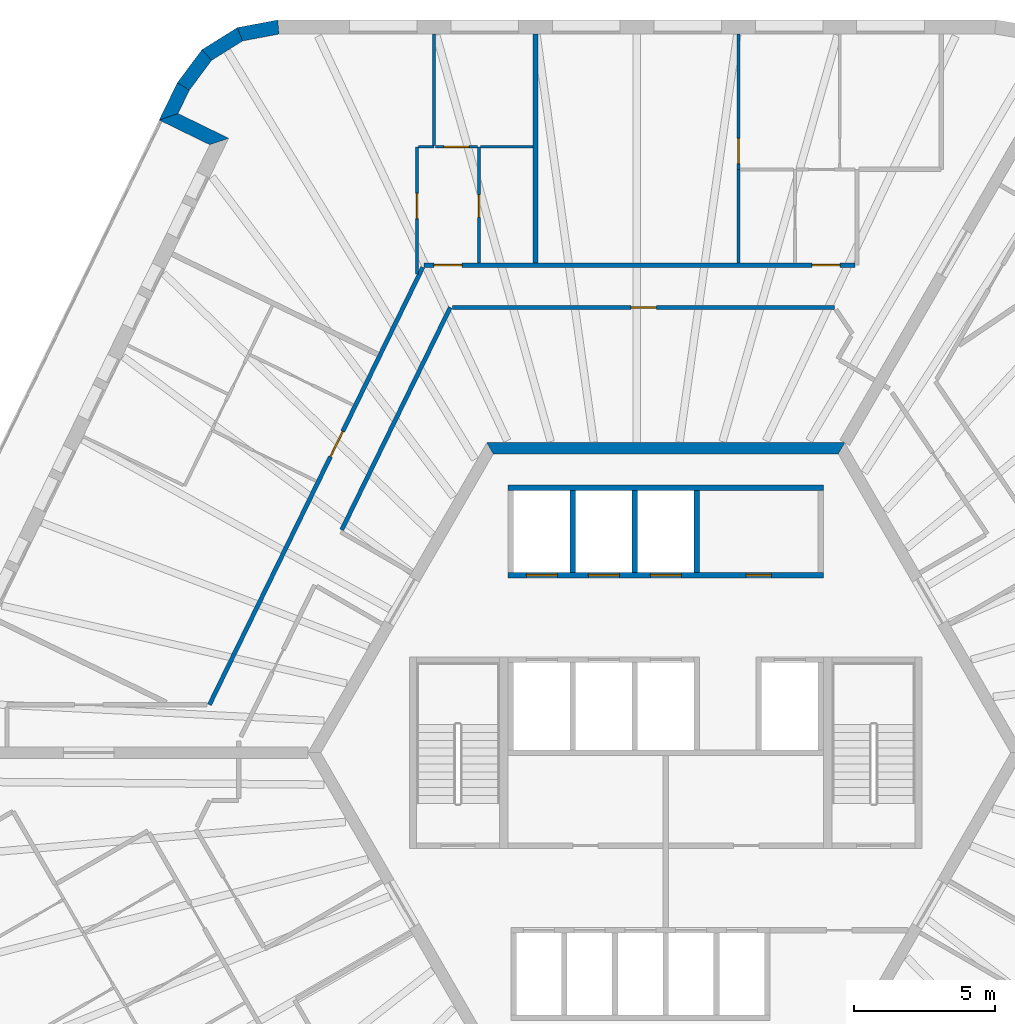
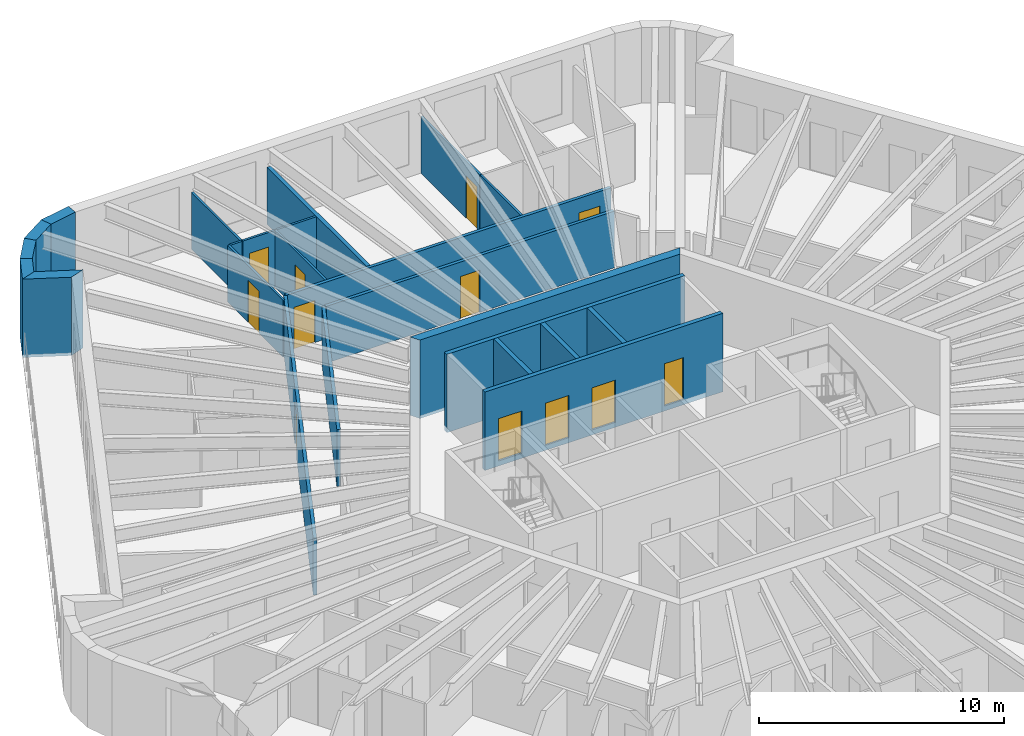
# One storey, part 9 of 12: 24 walls, 12 doors, 12 openings.
"""IFC4 building model written with IfcOpenShell, lengths in metres."""

from ifc_helpers import new_model, si_unit, direction, frame, frame_2d, origin, place, context, subcontext, project, spatial, polyline, rectangle, outline, extrude, material, layer, layer_set, type_object, element, fill, save


model = new_model("IFC4")

# Units and contexts
model_context = context("Model", 3, precision=1e-05, world=origin(), true_north=direction((0.0, 1.0)))
body_context = subcontext(model_context, "Body", "Model", "MODEL_VIEW")
ifc_project = project(units=[si_unit("LENGTHUNIT", "METRE"), si_unit("AREAUNIT", "SQUARE_METRE"), si_unit("VOLUMEUNIT", "CUBIC_METRE"), si_unit("PLANEANGLEUNIT", "RADIAN"), si_unit("MASSUNIT", "GRAM", prefix="KILO")], contexts=[model_context])

# Site, building, storey
site_placement = place(None, origin())
site = spatial("IfcSite", under=ifc_project, at=site_placement, CompositionType="ELEMENT")
building_placement = place(site_placement, origin())
building = spatial("IfcBuilding", under=site, at=building_placement, Name="Tarnside Tower", CompositionType="ELEMENT")
storey_placement = place(building_placement, frame((0.0, 0.0, 264.0)))
storey = spatial("IfcBuildingStorey", under=building, at=storey_placement, Name="L63", CompositionType="ELEMENT", Elevation=264.0)

# Wall
ifc_material_1 = material(Name="Gypsum board partition on steel studs", Category="steel")
ifc_layer_1 = layer(ifc_material_1, 0.10009765625)
ifc_layer_set_1 = layer_set([ifc_layer_1], Name="Bathroom wall 100")
wall_type_1 = type_object("IfcWallType", Name="Bathroom wall 100", PredefinedType="PARTITIONING", material=ifc_layer_set_1)
wall_1_placement = place(storey_placement, frame((2.586181640625, 17.375, 0.0), z_axis=(0.0, 0.0, 1.0), x_axis=(0.0, 1.0, 0.0)))
element("IfcWall", 1, at=wall_1_placement, inside=storey, type_object=wall_type_1, Name="Bathroom wall 20081", PredefinedType="PARTITIONING", context=body_context, shape_type="SweptSolid", body=[
    extrude(rectangle(XDim=3.324951171875, YDim=0.10009765625, at=frame_2d((1.66259765625, 0.0))), origin(), (0.0, 0.0, 1.0), 2.823486328125),
])

# Wall, opening, door
wall_2_placement = place(storey_placement, frame((-6.624755859375, 17.375, 0.0), z_axis=(0.0, 0.0, 1.0), x_axis=(0.0, 1.0, 0.0)))
wall_2 = element("IfcWall", 2, at=wall_2_placement, inside=storey, type_object=wall_type_1, Name="Bathroom wall 20095", PredefinedType="PARTITIONING", context=body_context, shape_type="SweptSolid", body=[
    extrude(rectangle(XDim=4.125, YDim=0.10009765625, at=frame_2d((2.0625, 0.0))), origin(), (0.0, 0.0, 1.0), 2.823486328125),
])
opening_1_placement = place(wall_2_placement, frame((1.625, 0.0, 0.0)))
opening_1 = element("IfcOpeningElement", 3, at=opening_1_placement, cuts=wall_2, Name="Opening D-B1", PredefinedType="OPENING", context=body_context, shape_type="SweptSolid", body=[
    extrude(rectangle(XDim=0.800048828125, YDim=2.10009765625, at=frame_2d((0.39990234375, 1.050048828125))), frame((0.0, 0.06005859375, 0.0), z_axis=(0.0, -1.0, 0.0), x_axis=(1.0, 0.0, 0.0)), (0.0, 0.0, 1.0), 0.1201171875),
])
ifc_material_2 = material(Name="Timber door leaf", Category="wood")
door_type_1 = type_object("IfcDoorType", Name="Bathroom door 800", OperationType="NOTDEFINED", PredefinedType="DOOR", material=ifc_material_2)
door_1_placement = place(opening_1_placement, origin())
door_1 = element("IfcDoor", 4, at=door_1_placement, inside=storey, type_object=door_type_1, Name="Bathroom door 20012", OperationType="SINGLE_SWING_RIGHT", OverallHeight=2.10009765625, OverallWidth=0.800048828125, PredefinedType="DOOR", context=body_context, shape_type="SweptSolid", body=[
    extrude(rectangle(XDim=0.800048828125, YDim=2.10009765625, at=frame_2d((0.39990234375, 1.050048828125))), frame((0.0, 0.02490234375, 0.0), z_axis=(0.0, -1.0, 0.0), x_axis=(1.0, 0.0, 0.0)), (0.0, 0.0, 1.0), 0.050048828125),
])
fill(opening_1, door_1)

# Walls
wall_3_placement = place(storey_placement, frame((-4.71484375, 21.5, 0.0), z_axis=(0.0, 0.0, 1.0), x_axis=(-1.0, 0.0, 0.0)))
element("IfcWall", 5, at=wall_3_placement, inside=storey, type_object=wall_type_1, Name="Bathroom wall 20097", PredefinedType="PARTITIONING", context=body_context, shape_type="SweptSolid", body=[
    extrude(rectangle(XDim=1.862060546875, YDim=0.10009765625, at=frame_2d((0.93115234375, 0.0))), origin(), (0.0, 0.0, 1.0), 2.823486328125),
])
ifc_material_3 = material(Name="Concrete C60/75", Category="concrete")
ifc_layer_2 = layer(ifc_material_3, 0.39990234375)
ifc_layer_set_2 = layer_set([ifc_layer_2], Name="Core wall Z3 400 C60/75")
wall_type_2 = type_object("IfcWallType", Name="Core wall Z3 400 C60/75", PredefinedType="SHEAR", material=ifc_layer_set_2)
wall_4_placement = place(storey_placement, frame((6.2353515625, 10.800048828125, -0.14990234375), z_axis=(0.0, 0.0, 1.0), x_axis=(-1.0, 0.0, 0.0)))
element("IfcWall", 6, at=wall_4_placement, inside=storey, type_object=wall_type_2, Name="L63 core wall face 1", PredefinedType="SHEAR", context=body_context, shape_type="SweptSolid", body=[
    extrude(outline(polyline([(-0.115478515625, -0.199951171875), (12.586181640625, -0.199951171875), (12.355224609375, 0.199951171875), (0.115478515625, 0.199951171875), (-0.115478515625, -0.199951171875)])), origin(), (0.0, 0.0, 1.0), 3.89990234375),
])

# Wall, openings, doors
ifc_layer_3 = layer(ifc_material_1, 0.14990234375)
ifc_layer_set_3 = layer_set([ifc_layer_3], Name="Corridor wall 150 EI 60")
wall_type_3 = type_object("IfcWallType", Name="Corridor wall 150 EI 60", PredefinedType="PARTITIONING", material=ifc_layer_set_3)
wall_5_placement = place(storey_placement, frame((6.711181640625, 17.300048828125, 0.0), z_axis=(0.0, 0.0, 1.0), x_axis=(-1.0, 0.0, 0.0)))
wall_5 = element("IfcWall", 7, at=wall_5_placement, inside=storey, type_object=wall_type_3, Name="Corridor wall 20001", PredefinedType="PARTITIONING", context=body_context, shape_type="SweptSolid", body=[
    extrude(rectangle(XDim=15.296142578125, YDim=0.14990234375, at=frame_2d((7.64794921875, 0.0))), origin(), (0.0, 0.0, 1.0), 2.823486328125),
])
opening_2_placement = place(wall_5_placement, frame((0.52490234375, 0.0, 0.0)))
opening_2 = element("IfcOpeningElement", 8, at=opening_2_placement, cuts=wall_5, Name="Opening D-E1", PredefinedType="OPENING", context=body_context, shape_type="SweptSolid", body=[
    extrude(rectangle(XDim=1.0, YDim=2.10009765625, at=frame_2d((0.5, 1.050048828125))), frame((0.0, 0.0849609375, 0.0), z_axis=(0.0, -1.0, 0.0), x_axis=(1.0, 0.0, 0.0)), (0.0, 0.0, 1.0), 0.169921875),
])
opening_3_placement = place(wall_5_placement, frame((13.93603515625, 0.0, 0.0)))
opening_3 = element("IfcOpeningElement", 9, at=opening_3_placement, cuts=wall_5, Name="Opening D-E1", PredefinedType="OPENING", context=body_context, shape_type="SweptSolid", body=[
    extrude(rectangle(XDim=1.0, YDim=2.10009765625, at=frame_2d((0.5, 1.050048828125))), frame((0.0, 0.0849609375, 0.0), z_axis=(0.0, -1.0, 0.0), x_axis=(1.0, 0.0, 0.0)), (0.0, 0.0, 1.0), 0.169921875),
])
door_type_2 = type_object("IfcDoorType", Name="Unit entrance door 1000 FD30S", OperationType="NOTDEFINED", PredefinedType="DOOR", material=ifc_material_2)
door_2_placement = place(opening_2_placement, origin())
door_2 = element("IfcDoor", 10, at=door_2_placement, inside=storey, type_object=door_type_2, Name="Unit door 20001", OperationType="SINGLE_SWING_RIGHT", OverallHeight=2.10009765625, OverallWidth=1.0, PredefinedType="DOOR", context=body_context, shape_type="SweptSolid", body=[
    extrude(rectangle(XDim=1.0, YDim=2.10009765625, at=frame_2d((0.5, 1.050048828125))), frame((0.0, 0.02490234375, 0.0), z_axis=(0.0, -1.0, 0.0), x_axis=(1.0, 0.0, 0.0)), (0.0, 0.0, 1.0), 0.050048828125),
])
fill(opening_2, door_2)
door_3_placement = place(opening_3_placement, origin())
door_3 = element("IfcDoor", 11, at=door_3_placement, inside=storey, type_object=door_type_2, Name="Unit door 20011", OperationType="SINGLE_SWING_LEFT", OverallHeight=2.10009765625, OverallWidth=1.0, PredefinedType="DOOR", context=body_context, shape_type="SweptSolid", body=[
    extrude(rectangle(XDim=1.0, YDim=2.10009765625, at=frame_2d((0.5, 1.050048828125))), frame((0.0, 0.02490234375, 0.0), z_axis=(0.0, -1.0, 0.0), x_axis=(1.0, 0.0, 0.0)), (0.0, 0.0, 1.0), 0.050048828125),
])
fill(opening_3, door_3)

# Wall, opening, door
wall_6_placement = place(storey_placement, frame((-8.62158203125, 17.22509765625, 0.0), z_axis=(0.0, 0.0, 1.0), x_axis=(-0.438366544921, -0.898796290765, 0.0)))
wall_6 = element("IfcWall", 12, at=wall_6_placement, inside=storey, type_object=wall_type_3, Name="Corridor wall 20007", PredefinedType="PARTITIONING", context=body_context, shape_type="SweptSolid", body=[
    extrude(rectangle(XDim=17.273193359375, YDim=0.14990234375, at=frame_2d((8.63671875, 0.0))), origin(), (0.0, 0.0, 1.0), 2.823486328125),
])
opening_4_placement = place(wall_6_placement, frame((6.4775390625, 0.0, 0.0)))
opening_4 = element("IfcOpeningElement", 13, at=opening_4_placement, cuts=wall_6, Name="Opening D-E1", PredefinedType="OPENING", context=body_context, shape_type="SweptSolid", body=[
    extrude(rectangle(XDim=1.0, YDim=2.10009765625, at=frame_2d((0.5, 1.050048828125))), frame((0.0, 0.0849609375, 0.0), z_axis=(0.0, -1.0, 0.0), x_axis=(1.0, 0.0, 0.0)), (0.0, 0.0, 1.0), 0.169921875),
])
door_4_placement = place(opening_4_placement, origin())
door_4 = element("IfcDoor", 14, at=door_4_placement, inside=storey, type_object=door_type_2, Name="Unit door 20015", OperationType="SINGLE_SWING_RIGHT", OverallHeight=2.10009765625, OverallWidth=1.0, PredefinedType="DOOR", context=body_context, shape_type="SweptSolid", body=[
    extrude(rectangle(XDim=1.0, YDim=2.10009765625, at=frame_2d((0.5, 1.050048828125))), frame((0.0, 0.02490234375, 0.0), z_axis=(0.0, -1.0, 0.0), x_axis=(1.0, 0.0, 0.0)), (0.0, 0.0, 1.0), 0.050048828125),
])
fill(opening_4, door_4)

# Wall
wall_7_placement = place(storey_placement, frame((-11.49853515625, 7.904541015625, 0.0), z_axis=(0.0, 0.0, 1.0), x_axis=(0.438365041944, 0.898797023805, 0.0)))
element("IfcWall", 15, at=wall_7_placement, inside=storey, type_object=wall_type_3, Name="Corridor wall 20018", PredefinedType="PARTITIONING", context=body_context, shape_type="SweptSolid", body=[
    extrude(rectangle(XDim=8.784423828125, YDim=0.14990234375, at=frame_2d((4.39208984375, 0.0))), origin(), (0.0, 0.0, 1.0), 2.823486328125),
])

# Wall, opening, door
wall_8_placement = place(storey_placement, frame((-7.564208984375, 15.800048828125, 0.0), z_axis=(0.0, 0.0, 1.0), x_axis=(1.0, 0.0, 0.0)))
wall_8 = element("IfcWall", 16, at=wall_8_placement, inside=storey, type_object=wall_type_3, Name="Corridor wall 20019", PredefinedType="PARTITIONING", context=body_context, shape_type="SweptSolid", body=[
    extrude(rectangle(XDim=13.552734375, YDim=0.14990234375, at=frame_2d((6.7763671875, 0.0))), origin(), (0.0, 0.0, 1.0), 2.823486328125),
])
opening_5_placement = place(wall_8_placement, frame((6.326416015625, 0.0, 0.0)))
opening_5 = element("IfcOpeningElement", 17, at=opening_5_placement, cuts=wall_8, Name="Opening D-S1", PredefinedType="OPENING", context=body_context, shape_type="SweptSolid", body=[
    extrude(rectangle(XDim=0.89990234375, YDim=2.10009765625, at=frame_2d((0.449951171875, 1.050048828125))), frame((0.0, 0.0849609375, 0.0), z_axis=(0.0, -1.0, 0.0), x_axis=(1.0, 0.0, 0.0)), (0.0, 0.0, 1.0), 0.169921875),
])
door_type_3 = type_object("IfcDoorType", Name="Service room door 900 FD30S", OperationType="NOTDEFINED", PredefinedType="DOOR", material=ifc_material_2)
door_5_placement = place(opening_5_placement, origin())
door_5 = element("IfcDoor", 18, at=door_5_placement, inside=storey, type_object=door_type_3, Name="Service door 20071", OperationType="SINGLE_SWING_LEFT", OverallHeight=2.10009765625, OverallWidth=0.89990234375, PredefinedType="DOOR", context=body_context, shape_type="SweptSolid", body=[
    extrude(rectangle(XDim=0.89990234375, YDim=2.10009765625, at=frame_2d((0.449951171875, 1.050048828125))), frame((0.0, 0.02490234375, 0.0), z_axis=(0.0, -1.0, 0.0), x_axis=(1.0, 0.0, 0.0)), (0.0, 0.0, 1.0), 0.050048828125),
])
fill(opening_5, door_5)

# Wall
ifc_layer_4 = layer(ifc_material_1, 0.179931640625)
ifc_layer_set_4 = layer_set([ifc_layer_4], Name="Demising wall 180 EI 60")
wall_type_4 = type_object("IfcWallType", Name="Demising wall 180 EI 60", PredefinedType="PARTITIONING", material=ifc_layer_set_4)
wall_9_placement = place(storey_placement, frame((-4.624755859375, 25.5, 0.0), z_axis=(0.0, 0.0, 1.0), x_axis=(0.0, -1.0, 0.0)))
element("IfcWall", 19, at=wall_9_placement, inside=storey, type_object=wall_type_4, Name="Demising wall 20083", PredefinedType="PARTITIONING", context=body_context, shape_type="SweptSolid", body=[
    extrude(rectangle(XDim=8.125, YDim=0.179931640625, at=frame_2d((4.0625, 0.0))), origin(), (0.0, 0.0, 1.0), 2.823486328125),
])

# Wall, openings, doors
ifc_material_4 = material(Name="Concrete C40/50", Category="concrete")
ifc_layer_5 = layer(ifc_material_4, 0.199951171875)
ifc_layer_set_5 = layer_set([ifc_layer_5], Name="Lift shaft wall 200 C40/50")
wall_type_5 = type_object("IfcWallType", Name="Lift shaft wall 200 C40/50", PredefinedType="SHEAR", material=ifc_layer_set_5)
wall_10_placement = place(storey_placement, frame((-5.60009765625, 6.300048828125, -0.25), z_axis=(0.0, 0.0, 1.0), x_axis=(1.0, 0.0, 0.0)))
wall_10 = element("IfcWall", 20, at=wall_10_placement, inside=storey, type_object=wall_type_5, Name="L63 lift shaft front wall R1", PredefinedType="SHEAR", context=body_context, shape_type="SweptSolid", body=[
    extrude(rectangle(XDim=11.2001953125, YDim=0.199951171875, at=frame_2d((5.60009765625, 0.0))), origin(), (0.0, 0.0, 1.0), 3.89990234375),
])
opening_6_placement = place(wall_10_placement, frame((8.449951171875, 0.0, 0.25)))
opening_6 = element("IfcOpeningElement", 21, at=opening_6_placement, cuts=wall_10, Name="Opening CD-room", PredefinedType="OPENING", context=body_context, shape_type="SweptSolid", body=[
    extrude(rectangle(XDim=0.89990234375, YDim=2.10009765625, at=frame_2d((0.449951171875, 1.050048828125))), frame((0.0, 0.10986328125, 0.0), z_axis=(0.0, -1.0, 0.0), x_axis=(1.0, 0.0, 0.0)), (0.0, 0.0, 1.0), 0.219970703125),
])
opening_7_placement = place(wall_10_placement, frame((0.64990234375, 0.0, 0.25)))
opening_7 = element("IfcOpeningElement", 22, at=opening_7_placement, cuts=wall_10, Name="Opening LD", PredefinedType="OPENING", context=body_context, shape_type="SweptSolid", body=[
    extrude(rectangle(XDim=1.10009765625, YDim=2.10009765625, at=frame_2d((0.550048828125, 1.050048828125))), frame((0.0, 0.10986328125, 0.0), z_axis=(0.0, -1.0, 0.0), x_axis=(1.0, 0.0, 0.0)), (0.0, 0.0, 1.0), 0.219970703125),
])
opening_8_placement = place(wall_10_placement, frame((2.85009765625, 0.0, 0.25)))
opening_8 = element("IfcOpeningElement", 23, at=opening_8_placement, cuts=wall_10, Name="Opening LD", PredefinedType="OPENING", context=body_context, shape_type="SweptSolid", body=[
    extrude(rectangle(XDim=1.10009765625, YDim=2.10009765625, at=frame_2d((0.550048828125, 1.050048828125))), frame((0.0, 0.10986328125, 0.0), z_axis=(0.0, -1.0, 0.0), x_axis=(1.0, 0.0, 0.0)), (0.0, 0.0, 1.0), 0.219970703125),
])
opening_9_placement = place(wall_10_placement, frame((5.050048828125, 0.0, 0.25)))
opening_9 = element("IfcOpeningElement", 24, at=opening_9_placement, cuts=wall_10, Name="Opening LD", PredefinedType="OPENING", context=body_context, shape_type="SweptSolid", body=[
    extrude(rectangle(XDim=1.10009765625, YDim=2.10009765625, at=frame_2d((0.550048828125, 1.050048828125))), frame((0.0, 0.10986328125, 0.0), z_axis=(0.0, -1.0, 0.0), x_axis=(1.0, 0.0, 0.0)), (0.0, 0.0, 1.0), 0.219970703125),
])
ifc_material_5 = material(Name="Stainless steel", Category="steel")
door_type_4 = type_object("IfcDoorType", Name="Lift landing door 1100x2100", OperationType="NOTDEFINED", PredefinedType="DOOR", material=ifc_material_5)
door_6_placement = place(opening_7_placement, origin())
door_6 = element("IfcDoor", 25, at=door_6_placement, inside=storey, type_object=door_type_4, Name="High-rise lift 1 landing door L63", OperationType="SLIDING_TO_LEFT", OverallHeight=2.10009765625, OverallWidth=1.10009765625, PredefinedType="DOOR", context=body_context, shape_type="SweptSolid", body=[
    extrude(rectangle(XDim=1.10009765625, YDim=2.10009765625, at=frame_2d((0.550048828125, 1.050048828125))), frame((0.0, 0.02490234375, 0.0), z_axis=(0.0, -1.0, 0.0), x_axis=(1.0, 0.0, 0.0)), (0.0, 0.0, 1.0), 0.050048828125),
])
fill(opening_7, door_6)
door_7_placement = place(opening_8_placement, origin())
door_7 = element("IfcDoor", 26, at=door_7_placement, inside=storey, type_object=door_type_4, Name="High-rise lift 2 landing door L63", OperationType="SLIDING_TO_LEFT", OverallHeight=2.10009765625, OverallWidth=1.10009765625, PredefinedType="DOOR", context=body_context, shape_type="SweptSolid", body=[
    extrude(rectangle(XDim=1.10009765625, YDim=2.10009765625, at=frame_2d((0.550048828125, 1.050048828125))), frame((0.0, 0.02490234375, 0.0), z_axis=(0.0, -1.0, 0.0), x_axis=(1.0, 0.0, 0.0)), (0.0, 0.0, 1.0), 0.050048828125),
])
fill(opening_8, door_7)
door_8_placement = place(opening_9_placement, origin())
door_8 = element("IfcDoor", 27, at=door_8_placement, inside=storey, type_object=door_type_4, Name="High-rise lift 3 landing door L63", OperationType="SLIDING_TO_LEFT", OverallHeight=2.10009765625, OverallWidth=1.10009765625, PredefinedType="DOOR", context=body_context, shape_type="SweptSolid", body=[
    extrude(rectangle(XDim=1.10009765625, YDim=2.10009765625, at=frame_2d((0.550048828125, 1.050048828125))), frame((0.0, 0.02490234375, 0.0), z_axis=(0.0, -1.0, 0.0), x_axis=(1.0, 0.0, 0.0)), (0.0, 0.0, 1.0), 0.050048828125),
])
fill(opening_9, door_8)
ifc_material_6 = material(Name="Steel fire door", Category="steel")
door_type_5 = type_object("IfcDoorType", Name="Room door FD60 900x2100", OperationType="NOTDEFINED", PredefinedType="DOOR", material=ifc_material_6)
door_9_placement = place(opening_6_placement, origin())
door_9 = element("IfcDoor", 28, at=door_9_placement, inside=storey, type_object=door_type_5, Name="L63 core room door FC1", OperationType="SINGLE_SWING_LEFT", OverallHeight=2.10009765625, OverallWidth=0.89990234375, PredefinedType="DOOR", context=body_context, shape_type="SweptSolid", body=[
    extrude(rectangle(XDim=0.89990234375, YDim=2.10009765625, at=frame_2d((0.449951171875, 1.050048828125))), frame((0.0, 0.02490234375, 0.0), z_axis=(0.0, -1.0, 0.0), x_axis=(1.0, 0.0, 0.0)), (0.0, 0.0, 1.0), 0.050048828125),
])
fill(opening_6, door_9)

# Walls
wall_11_placement = place(storey_placement, frame((-5.60009765625, 9.39990234375, -0.25), z_axis=(0.0, 0.0, 1.0), x_axis=(1.0, 0.0, 0.0)))
element("IfcWall", 29, at=wall_11_placement, inside=storey, type_object=wall_type_5, Name="L63 lift shaft back wall R1", PredefinedType="SHEAR", context=body_context, shape_type="SweptSolid", body=[
    extrude(rectangle(XDim=11.2001953125, YDim=0.199951171875, at=frame_2d((5.60009765625, 0.0))), origin(), (0.0, 0.0, 1.0), 3.89990234375),
])
for number, where, z_axis, x_axis, name in (
    (30, (-3.300048828125, 6.39990234375, -0.25), (0.0, 0.0, 1.0), (0.0, 1.0, 0.0), "L63 lift shaft partition R12"),
    (31, (-1.10009765625, 6.39990234375, -0.25), (0.0, 0.0, 1.0), (0.0, 1.0, 0.0), "L63 lift shaft partition R13"),
    (32, (1.10009765625, 6.39990234375, -0.25), (0.0, 0.0, 1.0), (0.0, 1.0, 0.0), "L63 lift shaft partition R14"),
):
    element("IfcWall", number, at=place(storey_placement, frame(where, z_axis=z_axis, x_axis=x_axis)), inside=storey, type_object=wall_type_5, Name=name, PredefinedType="SHEAR", context=body_context, shape_type="SweptSolid", body=[
        extrude(rectangle(XDim=2.900146484375, YDim=0.199951171875, at=frame_2d((1.4501953125, 0.0))), origin(), (0.0, 0.0, 1.0), 3.89990234375),
    ])
ifc_material_7 = material(Name="Dark zinc cladding")
ifc_layer_6 = layer(ifc_material_7, 0.10205078125)
ifc_material_8 = material(Name="Concrete C60/75 precast", Category="concrete")
ifc_layer_7 = layer(ifc_material_8, 0.298095703125)
ifc_material_9 = material(Name="Mineral wool insulation")
ifc_layer_8 = layer(ifc_material_9, 0.10009765625)
ifc_layer_set_6 = layer_set([ifc_layer_6, ifc_layer_7, ifc_layer_8], Name="Loggia wall 500 zinc faced")
wall_type_6 = type_object("IfcWallType", Name="Loggia wall 500 zinc faced", PredefinedType="SOLIDWALL", material=ifc_layer_set_6)
wall_12_placement = place(storey_placement, frame((-17.11767578125, 23.643798828125, -0.14990234375), z_axis=(0.0, 0.0, 1.0), x_axis=(-0.438319390103, -0.898819287877, 0.0)))
element("IfcWall", 33, at=wall_12_placement, inside=storey, type_object=wall_type_6, Name="Tube wall L63 F2 stub 04", PredefinedType="SOLIDWALL", context=body_context, shape_type="SweptSolid", body=[
    extrude(outline(polyline([(-0.0234375, -0.25), (1.44970703125, -0.25), (0.94970703125, 0.25), (0.0234375, 0.25), (-0.0234375, -0.25)])), origin(), (0.0, 0.0, 1.0), 3.89990234375),
])
wall_13_placement = place(storey_placement, frame((-17.6435546875, 22.5654296875, -0.14990234375), z_axis=(0.0, 0.0, 1.0), x_axis=(0.898754367686, -0.43845249066, 0.0)))
element("IfcWall", 34, at=wall_13_placement, inside=storey, type_object=wall_type_6, Name="Tube wall L63 F2 return 05", PredefinedType="SOLIDWALL", context=body_context, shape_type="SweptSolid", body=[
    extrude(outline(polyline([(-0.25, -0.25), (1.75, -0.25), (2.25, 0.25), (0.25, 0.25), (-0.25, -0.25)])), origin(), (0.0, 0.0, 1.0), 3.89990234375),
])

# Wall, opening, door
ifc_layer_9 = layer(ifc_material_1, 0.10009765625)
ifc_layer_set_7 = layer_set([ifc_layer_9], Name="Partition 100")
wall_type_7 = type_object("IfcWallType", Name="Partition 100", PredefinedType="PARTITIONING", material=ifc_layer_set_7)
wall_14_placement = place(storey_placement, frame((2.5751953125, 20.699951171875, 0.0), z_axis=(0.0, 0.0, 1.0), x_axis=(0.0, 1.0, 0.0)))
wall_14 = element("IfcWall", 35, at=wall_14_placement, inside=storey, type_object=wall_type_7, Name="Partition wall 20082", PredefinedType="PARTITIONING", context=body_context, shape_type="SweptSolid", body=[
    extrude(rectangle(XDim=4.800048828125, YDim=0.10009765625, at=frame_2d((2.39990234375, 0.0))), origin(), (0.0, 0.0, 1.0), 2.823486328125),
])
opening_10_placement = place(wall_14_placement, frame((0.199951171875, 0.0, 0.0)))
opening_10 = element("IfcOpeningElement", 36, at=opening_10_placement, cuts=wall_14, Name="Opening D-I1", PredefinedType="OPENING", context=body_context, shape_type="SweptSolid", body=[
    extrude(rectangle(XDim=0.89990234375, YDim=2.10009765625, at=frame_2d((0.449951171875, 1.050048828125))), frame((0.0, 0.06005859375, 0.0), z_axis=(0.0, -1.0, 0.0), x_axis=(1.0, 0.0, 0.0)), (0.0, 0.0, 1.0), 0.1201171875),
])
door_type_6 = type_object("IfcDoorType", Name="Internal door 900", OperationType="NOTDEFINED", PredefinedType="DOOR", material=ifc_material_2)
door_10_placement = place(opening_10_placement, origin())
door_10 = element("IfcDoor", 37, at=door_10_placement, inside=storey, type_object=door_type_6, Name="Internal door 20010", OperationType="SINGLE_SWING_RIGHT", OverallHeight=2.10009765625, OverallWidth=0.89990234375, PredefinedType="DOOR", context=body_context, shape_type="SweptSolid", body=[
    extrude(rectangle(XDim=0.89990234375, YDim=2.10009765625, at=frame_2d((0.449951171875, 1.050048828125))), frame((0.0, 0.02490234375, 0.0), z_axis=(0.0, -1.0, 0.0), x_axis=(1.0, 0.0, 0.0)), (0.0, 0.0, 1.0), 0.050048828125),
])
fill(opening_10, door_10)

wall_15_placement = place(storey_placement, frame((-8.82470703125, 16.9794921875, 0.0), z_axis=(0.0, 0.0, 1.0), x_axis=(0.0, 1.0, 0.0)))
wall_15 = element("IfcWall", 38, at=wall_15_placement, inside=storey, type_object=wall_type_7, Name="Partition wall 20090", PredefinedType="PARTITIONING", context=body_context, shape_type="SweptSolid", body=[
    extrude(rectangle(XDim=4.5205078125, YDim=0.10009765625, at=frame_2d((2.26025390625, 0.0))), origin(), (0.0, 0.0, 1.0), 2.823486328125),
])
opening_11_placement = place(wall_15_placement, frame((1.970458984375, 0.0, 0.0)))
opening_11 = element("IfcOpeningElement", 39, at=opening_11_placement, cuts=wall_15, Name="Opening D-I1", PredefinedType="OPENING", context=body_context, shape_type="SweptSolid", body=[
    extrude(rectangle(XDim=0.89990234375, YDim=2.10009765625, at=frame_2d((0.449951171875, 1.050048828125))), frame((0.0, 0.06005859375, 0.0), z_axis=(0.0, -1.0, 0.0), x_axis=(1.0, 0.0, 0.0)), (0.0, 0.0, 1.0), 0.1201171875),
])
door_11_placement = place(opening_11_placement, origin())
door_11 = element("IfcDoor", 40, at=door_11_placement, inside=storey, type_object=door_type_6, Name="Internal door 20013", OperationType="SINGLE_SWING_LEFT", OverallHeight=2.10009765625, OverallWidth=0.89990234375, PredefinedType="DOOR", context=body_context, shape_type="SweptSolid", body=[
    extrude(rectangle(XDim=0.89990234375, YDim=2.10009765625, at=frame_2d((0.449951171875, 1.050048828125))), frame((0.0, 0.02490234375, 0.0), z_axis=(0.0, -1.0, 0.0), x_axis=(1.0, 0.0, 0.0)), (0.0, 0.0, 1.0), 0.050048828125),
])
fill(opening_11, door_11)

# Walls
wall_16_placement = place(storey_placement, frame((-8.77490234375, 21.5, 0.0), z_axis=(0.0, 0.0, 1.0), x_axis=(1.0, 0.0, 0.0)))
element("IfcWall", 41, at=wall_16_placement, inside=storey, type_object=wall_type_7, Name="Partition wall 20091", PredefinedType="PARTITIONING", context=body_context, shape_type="SweptSolid", body=[
    extrude(rectangle(XDim=0.552001953125, YDim=0.10009765625, at=frame_2d((0.27587890625, 0.0))), origin(), (0.0, 0.0, 1.0), 2.823486328125),
])
wall_17_placement = place(storey_placement, frame((-8.224853515625, 21.550048828125, 0.0), z_axis=(0.0, 0.0, 1.0), x_axis=(0.0, 1.0, 0.0)))
element("IfcWall", 42, at=wall_17_placement, inside=storey, type_object=wall_type_7, Name="Partition wall 20092", PredefinedType="PARTITIONING", context=body_context, shape_type="SweptSolid", body=[
    extrude(rectangle(XDim=3.949951171875, YDim=0.10009765625, at=frame_2d((1.97509765625, 0.0))), origin(), (0.0, 0.0, 1.0), 2.823486328125),
])

# Wall, opening, door
wall_18_placement = place(storey_placement, frame((-6.6728515625, 21.5, 0.0), z_axis=(0.0, 0.0, 1.0), x_axis=(-1.0, 0.0, 0.0)))
wall_18 = element("IfcWall", 43, at=wall_18_placement, inside=storey, type_object=wall_type_7, Name="Partition wall 20096", PredefinedType="PARTITIONING", context=body_context, shape_type="SweptSolid", body=[
    extrude(rectangle(XDim=1.501953125, YDim=0.10009765625, at=frame_2d((0.7509765625, 0.0))), origin(), (0.0, 0.0, 1.0), 2.823486328125),
])
opening_12_placement = place(wall_18_placement, frame((0.302001953125, 0.0, 0.0)))
opening_12 = element("IfcOpeningElement", 44, at=opening_12_placement, cuts=wall_18, Name="Opening D-I1", PredefinedType="OPENING", context=body_context, shape_type="SweptSolid", body=[
    extrude(rectangle(XDim=0.89990234375, YDim=2.10009765625, at=frame_2d((0.449951171875, 1.050048828125))), frame((0.0, 0.06005859375, 0.0), z_axis=(0.0, -1.0, 0.0), x_axis=(1.0, 0.0, 0.0)), (0.0, 0.0, 1.0), 0.1201171875),
])
door_12_placement = place(opening_12_placement, origin())
door_12 = element("IfcDoor", 45, at=door_12_placement, inside=storey, type_object=door_type_6, Name="Internal door 20014", OperationType="SINGLE_SWING_RIGHT", OverallHeight=2.10009765625, OverallWidth=0.89990234375, PredefinedType="DOOR", context=body_context, shape_type="SweptSolid", body=[
    extrude(rectangle(XDim=0.89990234375, YDim=2.10009765625, at=frame_2d((0.449951171875, 1.050048828125))), frame((0.0, 0.02490234375, 0.0), z_axis=(0.0, -1.0, 0.0), x_axis=(1.0, 0.0, 0.0)), (0.0, 0.0, 1.0), 0.050048828125),
])
fill(opening_12, door_12)

# Walls
ifc_material_10 = material(Name="Facing brick", Category="masonry")
ifc_layer_10 = layer(ifc_material_10, 0.10205078125)
ifc_layer_11 = layer(ifc_material_8, 0.298095703125)
ifc_layer_12 = layer(ifc_material_9, 0.10009765625)
ifc_layer_set_8 = layer_set([ifc_layer_10, ifc_layer_11, ifc_layer_12], Name="Tube wall 500 brick faced")
wall_type_8 = type_object("IfcWallType", Name="Tube wall 500 brick faced", PredefinedType="SOLIDWALL", material=ifc_layer_set_8)
wall_19_placement = place(storey_placement, frame((-13.7470703125, 25.75, -0.14990234375), z_axis=(0.0, 0.0, 1.0), x_axis=(-0.982736538448, -0.185010529429, 0.0)))
element("IfcWall", 46, at=wall_19_placement, inside=storey, type_object=wall_type_8, Name="Tube wall L63 F1 chord 01", PredefinedType="SOLIDWALL", context=body_context, shape_type="SweptSolid", body=[
    extrude(outline(polyline([(-0.0234375, -0.25), (1.435302734375, -0.25), (1.341064453125, 0.25), (0.0234375, 0.25), (-0.0234375, -0.25)])), origin(), (0.0, 0.0, 1.0), 3.89990234375),
])
wall_20_placement = place(storey_placement, frame((-15.111328125, 25.4931640625, -0.14990234375), z_axis=(0.0, 0.0, 1.0), x_axis=(-0.847978544293, -0.530030554231, 0.0)))
element("IfcWall", 47, at=wall_20_placement, inside=storey, type_object=wall_type_8, Name="Tube wall L63 F1 chord 02", PredefinedType="SOLIDWALL", context=body_context, shape_type="SweptSolid", body=[
    extrude(outline(polyline([(-0.047119140625, -0.25), (1.435302734375, -0.25), (1.341064453125, 0.25), (0.047119140625, 0.25), (-0.047119140625, -0.25)])), origin(), (0.0, 0.0, 1.0), 3.89990234375),
])
wall_21_placement = place(storey_placement, frame((-16.28857421875, 24.75732421875, -0.14990234375), z_axis=(0.0, 0.0, 1.0), x_axis=(-0.597210785942, -0.802084332945, 0.0)))
element("IfcWall", 48, at=wall_21_placement, inside=storey, type_object=wall_type_8, Name="Tube wall L63 F1 chord 03", PredefinedType="SOLIDWALL", context=body_context, shape_type="SweptSolid", body=[
    extrude(outline(polyline([(-0.047119140625, -0.25), (1.41162109375, -0.25), (1.36474609375, 0.25), (0.047119140625, 0.25), (-0.047119140625, -0.25)])), origin(), (0.0, 0.0, 1.0), 3.89990234375),
])

save(model, "model.ifc")
